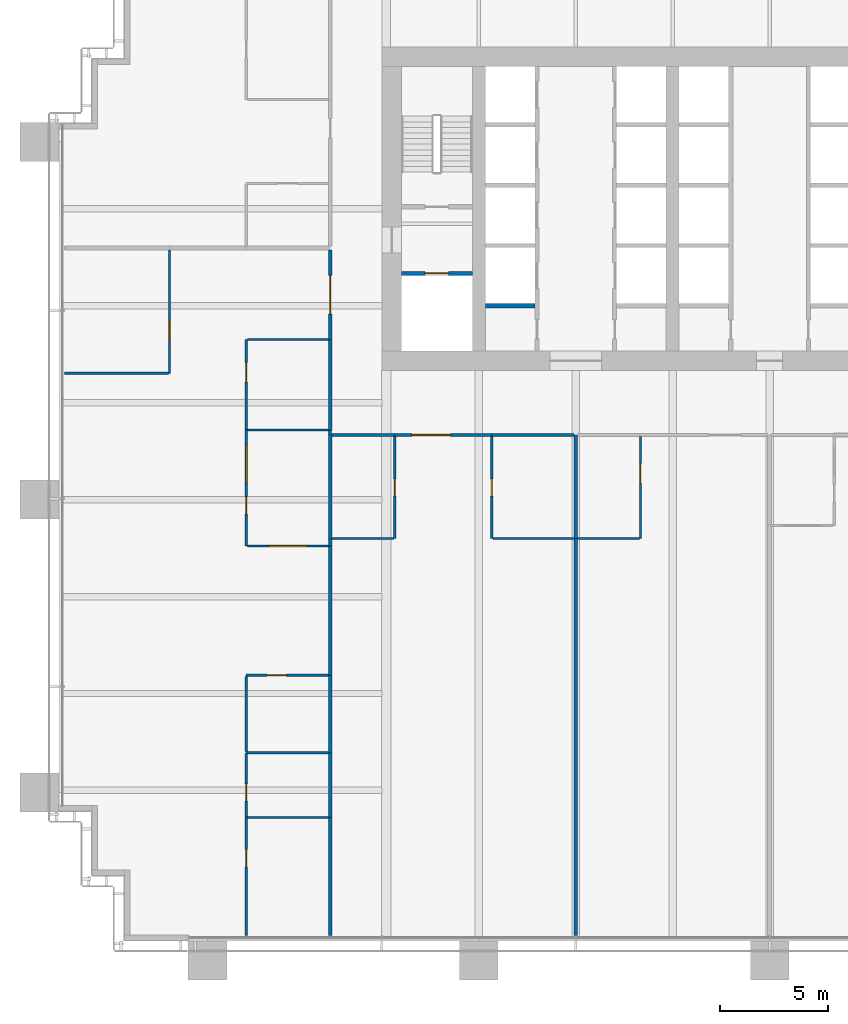
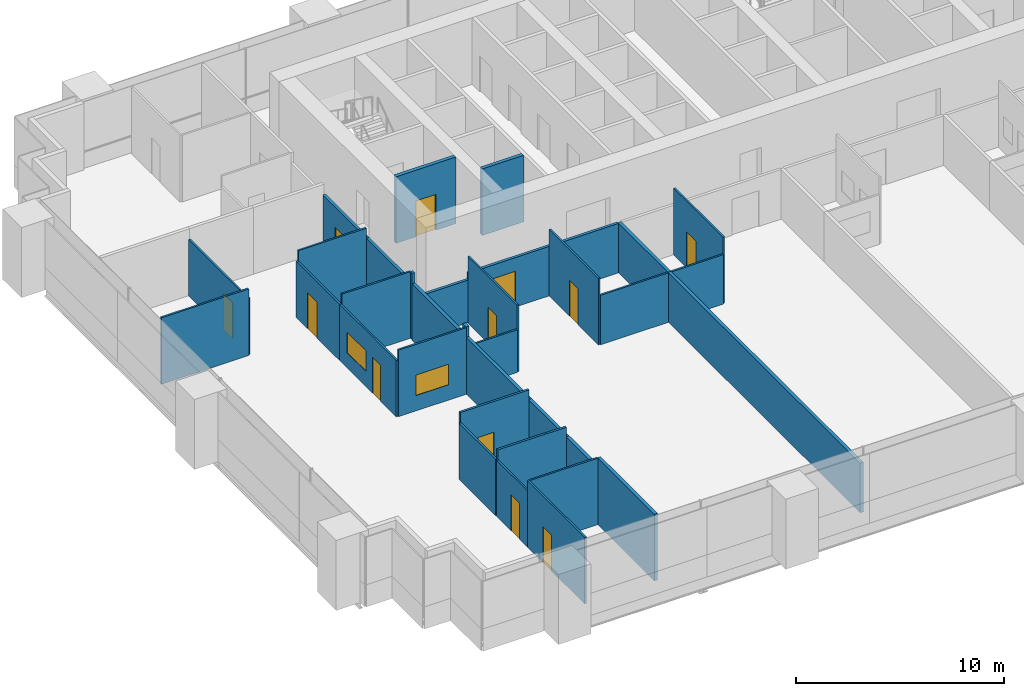
# One storey, part 11 of 20: 35 walls, 12 doors, 2 windows, 14 openings.
"""IFC4 building model written with IfcOpenShell, lengths in metres."""

import ifcopenshell
import ifcopenshell.guid

model = None  # the IFC model being written
_history = None  # IfcOwnerHistory: only IFC2X3 demands one
_inside = {}  # id of a spatial element -> (the spatial element, [elements in it])
_under = {}  # id of a project, library or spatial element -> (it, [spatial elements below it])
_declared = {}  # id of a project -> (the project, [libraries it declares])
_typed = {}  # id of a type object -> (the type object, [elements of that type])
_made_of = {}  # id of a material, layer set ... -> (it, [elements and type objects made of it])


def new_model(schema):
    """Start an empty IFC model of exactly this schema.

    Asked for "IFC4X3", IfcOpenShell would pick the latest addendum, in which some entities
    have other attributes; the version numbers below select the first issue.
    IFC2X3 requires an IfcOwnerHistory on every rooted entity: one is made here for all.
    """
    global model, _history
    if schema == "IFC4X3":
        model = ifcopenshell.file(schema_version=(4, 3, 0, 0))
    else:
        model = ifcopenshell.file(schema=schema)
    _inside.clear()
    _under.clear()
    _declared.clear()
    _typed.clear()
    _made_of.clear()
    _history = None
    if model.schema == "IFC2X3":
        org = make("IfcOrganization", Name="unknown")
        user = make(
            "IfcPersonAndOrganization",
            ThePerson=make("IfcPerson", FamilyName="unknown"),
            TheOrganization=org,
        )
        app = make(
            "IfcApplication",
            ApplicationDeveloper=org,
            Version="unknown",
            ApplicationFullName="unknown",
            ApplicationIdentifier="unknown",
        )
        _history = make(
            "IfcOwnerHistory",
            OwningUser=user,
            OwningApplication=app,
            ChangeAction="ADDED",
            CreationDate=0,
        )
    return model


def make(cls, **values):
    """One entity of the class cls with the attributes given. An attribute that is None is left unset."""
    return model.create_entity(
        cls, **{name: value for name, value in values.items() if value is not None}
    )


def rooted(cls, **values):
    """An entity with a GlobalId (a new one), such as an element, a storey or a relation."""
    return make(cls, GlobalId=ifcopenshell.guid.new(), OwnerHistory=_history, **values)


def si_unit(unit_type, name, prefix=None):
    """IfcSIUnit, for example si_unit("LENGTHUNIT", "METRE", prefix="MILLI")."""
    return make("IfcSIUnit", UnitType=unit_type, Prefix=prefix, Name=name)


def assignment(units):
    """IfcUnitAssignment: the units of a project."""
    return None if units is None else make("IfcUnitAssignment", Units=units)


def point(xyz):
    """IfcCartesianPoint."""
    return None if xyz is None else make("IfcCartesianPoint", Coordinates=xyz)


def direction(xyz):
    """IfcDirection."""
    return None if xyz is None else make("IfcDirection", DirectionRatios=xyz)


def frame(location, z_axis=None, x_axis=None):
    """IfcAxis2Placement3D, a coordinate frame: its origin and axes. An axis left out is left unset."""
    return make(
        "IfcAxis2Placement3D",
        Location=point(location),
        Axis=direction(z_axis),
        RefDirection=direction(x_axis),
    )


def frame_2d(location, x_axis=None):
    """IfcAxis2Placement2D, a coordinate frame in the plane: its origin and x axis."""
    return make(
        "IfcAxis2Placement2D", Location=point(location), RefDirection=direction(x_axis)
    )


def origin():
    """The frame at (0, 0, 0) with its axes left unset."""
    return frame((0.0, 0.0, 0.0))


def place(relative_to, where):
    """IfcLocalPlacement: puts the frame where relative to a parent placement (None: the world)."""
    return make(
        "IfcLocalPlacement", PlacementRelTo=relative_to, RelativePlacement=where
    )


def context(
    kind, dimensions, precision=None, world=None, true_north=None, identifier=None
):
    """IfcGeometricRepresentationContext, for example the 3D "Model" context."""
    return make(
        "IfcGeometricRepresentationContext",
        ContextIdentifier=identifier,
        ContextType=kind,
        CoordinateSpaceDimension=dimensions,
        Precision=precision,
        WorldCoordinateSystem=world,
        TrueNorth=true_north,
    )


def subcontext(parent, identifier, kind, view, scale=None):
    """IfcGeometricRepresentationSubContext, for example "Body" below "Model"."""
    return make(
        "IfcGeometricRepresentationSubContext",
        ContextIdentifier=identifier,
        ContextType=kind,
        ParentContext=parent,
        TargetScale=scale,
        TargetView=view,
    )


def project(units=None, contexts=None):
    """IfcProject with its units and contexts."""
    return rooted(
        "IfcProject",
        Name="project",
        RepresentationContexts=contexts,
        UnitsInContext=assignment(units),
    )


def spatial(cls, under=None, at=None, **own):
    """A site, building, storey or space (cls), placed at a placement, below another one or the project."""
    s = rooted(cls, ObjectPlacement=at, **own)
    if under is not None:
        _under.setdefault(under.id(), (under, []))[1].append(s)
    return s


def profile(cls, at=None, kind="AREA", **sizes):
    """A parametric profile (cls). Its sizes go by their IFC names, for example OverallWidth=200.0."""
    return make(cls, ProfileType=kind, Position=at, **sizes)


def rectangle(**sizes):
    """IfcRectangleProfileDef."""
    return profile("IfcRectangleProfileDef", **sizes)


def extrude(swept, where, along, depth):
    """IfcExtrudedAreaSolid: the profile swept, set in the frame where, extruded along a direction by depth."""
    return make(
        "IfcExtrudedAreaSolid",
        SweptArea=swept,
        Position=where,
        ExtrudedDirection=direction(along),
        Depth=depth,
    )


def shape(context_of_items, identifier, shape_type, items):
    """IfcShapeRepresentation: the items that make up one representation, for example the "Body"."""
    return make(
        "IfcShapeRepresentation",
        ContextOfItems=context_of_items,
        RepresentationIdentifier=identifier,
        RepresentationType=shape_type,
        Items=items,
    )


def material(Name=None, Category=None):
    """IfcMaterial."""
    return make("IfcMaterial", Name=Name, Category=Category)


def layer(
    of_material, thickness, ventilated=None, Name=None, Category=None, Priority=None
):
    """IfcMaterialLayer: one layer of a wall or slab, of a material (None: an air gap)."""
    return make(
        "IfcMaterialLayer",
        Material=of_material,
        LayerThickness=thickness,
        IsVentilated=ventilated,
        Name=Name,
        Category=Category,
        Priority=Priority,
    )


def layer_set(layers, Name=None):
    """IfcMaterialLayerSet."""
    return make("IfcMaterialLayerSet", MaterialLayers=layers, LayerSetName=Name)


def made_of(thing, what):
    """Note that an element or type object is made of a material, layer set ...; save() writes the relation."""
    if what is not None:
        _made_of.setdefault(what.id(), (what, []))[1].append(thing)
    return thing


def type_object(cls, material=None, **own):
    """A type object (cls), such as IfcWallType, which elements share."""
    return made_of(rooted(cls, **own), material)


def element(
    cls,
    number,
    at=None,
    inside=None,
    cuts=None,
    type_object=None,
    material=None,
    context=None,
    identifier="Body",
    shape_type=None,
    held_by="IfcProductDefinitionShape",
    body=None,
    shapes=None,
    **own,
):
    """One element of the class cls, such as IfcWall. Its Tag is "e" and its number.

    at: its placement. inside: the storey or other place that contains it. cuts: it is an
    opening in that element (IfcRelVoidsElement). A single representation is given by context,
    identifier, shape_type and body (its items); several are given by shapes. held_by: the class
    of the entity that holds the representations. save() writes the other relations.
    """
    e = rooted(cls, Tag="e%d" % number, ObjectPlacement=at, **own)
    if body is not None:
        shapes = [shape(context, identifier, shape_type, body)]
    if shapes is not None:
        e.Representation = make(held_by, Representations=shapes)
    if inside is not None:
        _inside.setdefault(inside.id(), (inside, []))[1].append(e)
    if cuts is not None:
        rooted(
            "IfcRelVoidsElement", RelatingBuildingElement=cuts, RelatedOpeningElement=e
        )
    if type_object is not None:
        _typed.setdefault(type_object.id(), (type_object, []))[1].append(e)
    return made_of(e, material)


def fill(opening, filler):
    """IfcRelFillsElement: the door or window that sits in an opening."""
    return rooted(
        "IfcRelFillsElement",
        RelatingOpeningElement=opening,
        RelatedBuildingElement=filler,
    )


def aggregate(whole, parts):
    """IfcRelAggregates: a whole, such as a stair, and the parts it consists of."""
    return rooted("IfcRelAggregates", RelatingObject=whole, RelatedObjects=parts)


def save(model, path):
    """Write the relations noted so far, then the file.

    IfcRelAggregates (storeys below a building ...), IfcRelContainedInSpatialStructure (elements
    in a storey), IfcRelDefinesByType, IfcRelAssociatesMaterial and IfcRelDeclares: one each for
    every whole, place, type object, material and project.
    """
    for whole, parts in _under.values():
        aggregate(whole, parts)
    for where, things in _inside.values():
        rooted(
            "IfcRelContainedInSpatialStructure",
            RelatedElements=things,
            RelatingStructure=where,
        )
    for kind, things in _typed.values():
        rooted("IfcRelDefinesByType", RelatedObjects=things, RelatingType=kind)
    for what, things in _made_of.values():
        rooted("IfcRelAssociatesMaterial", RelatedObjects=things, RelatingMaterial=what)
    for by, libraries in _declared.values():
        rooted("IfcRelDeclares", RelatingContext=by, RelatedDefinitions=libraries)
    model.write(path)


model = new_model("IFC4")

# Units and contexts
model_context = context("Model", 3, precision=1e-05, world=origin(), true_north=direction((0.0, 1.0)))
body_context = subcontext(model_context, "Body", "Model", "MODEL_VIEW")
ifc_project = project(units=[si_unit("LENGTHUNIT", "METRE"), si_unit("AREAUNIT", "SQUARE_METRE"), si_unit("VOLUMEUNIT", "CUBIC_METRE"), si_unit("PLANEANGLEUNIT", "RADIAN"), si_unit("MASSUNIT", "GRAM", prefix="KILO")], contexts=[model_context])

# Site, building, storey
site_placement = place(None, origin())
site = spatial("IfcSite", under=ifc_project, at=site_placement, CompositionType="ELEMENT")
building_placement = place(site_placement, origin())
building = spatial("IfcBuilding", under=site, at=building_placement, Name="Rattan Terrace Tower", CompositionType="ELEMENT")
storey_placement = place(building_placement, frame((0.0, 0.0, 40.60009765625)))
storey = spatial("IfcBuildingStorey", under=building, at=storey_placement, Name="L08", CompositionType="ELEMENT", Elevation=40.60009765625)

# Wall, opening, door
ifc_material_1 = material(Name="Gypsum board partition")
ifc_layer_1 = layer(ifc_material_1, 0.199951171875)
ifc_layer_set_1 = layer_set([ifc_layer_1], Name="Core partition 200")
wall_type_1 = type_object("IfcWallType", Name="Core partition 200", PredefinedType="PARTITIONING", material=ifc_layer_set_1)
wall_1_placement = place(storey_placement, frame((-17.10009765625, -3.0, 0.0), z_axis=(0.0, 0.0, 1.0), x_axis=(1.0, 0.0, 0.0)))
wall_1 = element("IfcWall", 1, at=wall_1_placement, inside=storey, type_object=wall_type_1, Name="Fire-fighting lobby wall", PredefinedType="PARTITIONING", context=body_context, shape_type="SweptSolid", body=[
    extrude(rectangle(XDim=3.300048828125, YDim=0.199951171875, at=frame_2d((1.64990234375, 0.0))), origin(), (0.0, 0.0, 1.0), 3.89990234375),
])
opening_1_placement = place(wall_1_placement, frame((1.10009765625, 0.0, 0.0)))
opening_1 = element("IfcOpeningElement", 2, at=opening_1_placement, cuts=wall_1, Name="Opening L08-LD-FF1", PredefinedType="OPENING", context=body_context, shape_type="SweptSolid", body=[
    extrude(rectangle(XDim=1.10009765625, YDim=2.10009765625, at=frame_2d((0.550048828125, 1.050048828125))), frame((0.0, 0.110595703125, 0.0), z_axis=(0.0, -1.0, 0.0), x_axis=(1.0, 0.0, 0.0)), (0.0, 0.0, 1.0), 0.220947265625),
])
ifc_material_2 = material(Name="Brushed stainless landing door panel")
door_type_1 = type_object("IfcDoorType", Name="Core lift landing door 1100", OperationType="DOUBLE_DOOR_SLIDING", PredefinedType="DOOR", material=ifc_material_2)
door_1_placement = place(opening_1_placement, origin())
door_1 = element("IfcDoor", 3, at=door_1_placement, inside=storey, type_object=door_type_1, Name="Door L08-LD-FF1", OperationType="DOUBLE_DOOR_SLIDING", OverallHeight=2.10009765625, OverallWidth=1.10009765625, PredefinedType="DOOR", context=body_context, shape_type="SweptSolid", body=[
    extrude(rectangle(XDim=1.10009765625, YDim=2.10009765625, at=frame_2d((0.550048828125, 1.050048828125))), frame((0.0, 0.02490234375, 0.0), z_axis=(0.0, -1.0, 0.0), x_axis=(1.0, 0.0, 0.0)), (0.0, 0.0, 1.0), 0.050048828125),
])
fill(opening_1, door_1)

# Walls
ifc_material_3 = material(Name="Double steel stud acoustic partition, gypsum board, mineral wool, fire rated", Category="steel")
ifc_layer_2 = layer(ifc_material_3, 0.179931640625)
ifc_layer_set_2 = layer_set([ifc_layer_2], Name="Floors Acoustic Party Wall 180")
wall_type_2 = type_object("IfcWallType", Name="Floors Acoustic Party Wall 180", PredefinedType="PARTITIONING", material=ifc_layer_set_2)
wall_2_placement = place(storey_placement, frame((-20.39990234375, -15.659912109375, 0.0), z_axis=(0.0, 0.0, 1.0), x_axis=(0.0, -1.0, 0.0)))
element("IfcWall", 4, at=wall_2_placement, inside=storey, type_object=wall_type_2, Name="pt-L08-034", PredefinedType="PARTITIONING", context=body_context, shape_type="SweptSolid", body=[
    extrude(rectangle(XDim=6.0, YDim=0.179931640625, at=frame_2d((3.0, 0.0))), origin(), (0.0, 0.0, 1.0), 3.2998046875),
])
wall_3_placement = place(storey_placement, frame((-20.39990234375, -28.260009765625, 0.0), z_axis=(0.0, 0.0, 1.0), x_axis=(0.0, -1.0, 0.0)))
element("IfcWall", 5, at=wall_3_placement, inside=storey, type_object=wall_type_2, Name="pt-L08-037", PredefinedType="PARTITIONING", context=body_context, shape_type="SweptSolid", body=[
    extrude(rectangle(XDim=5.47998046875, YDim=0.179931640625, at=frame_2d((2.739990234375, 0.0))), origin(), (0.0, 0.0, 1.0), 3.89990234375),
])
wall_4_placement = place(storey_placement, frame((-20.39990234375, -25.260009765625, 0.0), z_axis=(0.0, 0.0, 1.0), x_axis=(0.0, -1.0, 0.0)))
element("IfcWall", 6, at=wall_4_placement, inside=storey, type_object=wall_type_2, Name="pt-L08-039", PredefinedType="PARTITIONING", context=body_context, shape_type="SweptSolid", body=[
    extrude(rectangle(XDim=3.0, YDim=0.179931640625, at=frame_2d((1.5, 0.0))), origin(), (0.0, 0.0, 1.0), 3.2998046875),
])
wall_5_placement = place(storey_placement, frame((-20.39990234375, -21.659912109375, 0.0), z_axis=(0.0, 0.0, 1.0), x_axis=(0.0, -1.0, 0.0)))
element("IfcWall", 7, at=wall_5_placement, inside=storey, type_object=wall_type_2, Name="pt-L08-040", PredefinedType="PARTITIONING", context=body_context, shape_type="SweptSolid", body=[
    extrude(rectangle(XDim=3.60009765625, YDim=0.179931640625, at=frame_2d((1.800048828125, 0.0))), origin(), (0.0, 0.0, 1.0), 3.2998046875),
])
wall_6_placement = place(storey_placement, frame((-20.39990234375, -15.320068359375, 0.0), z_axis=(0.0, 0.0, 1.0), x_axis=(0.0, -1.0, 0.0)))
element("IfcWall", 8, at=wall_6_placement, inside=storey, type_object=wall_type_2, Name="pt-L08-042", PredefinedType="PARTITIONING", context=body_context, shape_type="SweptSolid", body=[
    extrude(rectangle(XDim=0.33984375, YDim=0.179931640625, at=frame_2d((0.169921875, 0.0))), origin(), (0.0, 0.0, 1.0), 3.89990234375),
])
wall_7_placement = place(storey_placement, frame((-20.39990234375, -10.47998046875, 0.0), z_axis=(0.0, 0.0, 1.0), x_axis=(0.0, -1.0, 0.0)))
element("IfcWall", 9, at=wall_7_placement, inside=storey, type_object=wall_type_2, Name="pt-L08-043", PredefinedType="PARTITIONING", context=body_context, shape_type="SweptSolid", body=[
    extrude(rectangle(XDim=4.840087890625, YDim=0.179931640625, at=frame_2d((2.419921875, 0.0))), origin(), (0.0, 0.0, 1.0), 3.2998046875),
])
wall_8_placement = place(storey_placement, frame((-9.0, -15.300048828125, 0.0), z_axis=(0.0, 0.0, 1.0), x_axis=(0.0, -1.0, 0.0)))
element("IfcWall", 10, at=wall_8_placement, inside=storey, type_object=wall_type_2, Name="pt-L08-052", PredefinedType="PARTITIONING", context=body_context, shape_type="SweptSolid", body=[
    extrude(rectangle(XDim=18.43994140625, YDim=0.179931640625, at=frame_2d((9.219970703125, 0.0))), origin(), (0.0, 0.0, 1.0), 2.89990234375),
])
wall_9_placement = place(storey_placement, frame((-9.0, -10.5, 0.0), z_axis=(0.0, 0.0, 1.0), x_axis=(0.0, -1.0, 0.0)))
element("IfcWall", 11, at=wall_9_placement, inside=storey, type_object=wall_type_2, Name="pt-L08-053", PredefinedType="PARTITIONING", context=body_context, shape_type="SweptSolid", body=[
    extrude(rectangle(XDim=4.800048828125, YDim=0.179931640625, at=frame_2d((2.39990234375, 0.0))), origin(), (0.0, 0.0, 1.0), 2.89990234375),
])
ifc_material_4 = material(Name="Gypsum board partition on steel studs", Category="steel")
ifc_layer_3 = layer(ifc_material_4, 0.10009765625)
ifc_layer_set_3 = layer_set([ifc_layer_3], Name="Floors Partition 100")
wall_type_3 = type_object("IfcWallType", Name="Floors Partition 100", PredefinedType="PARTITIONING", material=ifc_layer_set_3)
wall_10_placement = place(storey_placement, frame((-32.739990234375, -7.635986328125, 0.0), z_axis=(0.0, 0.0, 1.0), x_axis=(1.0, 0.0, 0.0)))
element("IfcWall", 12, at=wall_10_placement, inside=storey, type_object=wall_type_3, Name="pt-L08-022", PredefinedType="PARTITIONING", context=body_context, shape_type="SweptSolid", body=[
    extrude(rectangle(XDim=4.830078125, YDim=0.10009765625, at=frame_2d((2.4150390625, 0.0))), origin(), (0.0, 0.0, 1.0), 3.89990234375),
])

# Wall, opening, door
wall_11_placement = place(storey_placement, frame((-27.860107421875, -7.635986328125, 0.0), z_axis=(0.0, 0.0, 1.0), x_axis=(0.0, 1.0, 0.0)))
wall_11 = element("IfcWall", 13, at=wall_11_placement, inside=storey, type_object=wall_type_3, Name="pt-L08-023", PredefinedType="PARTITIONING", context=body_context, shape_type="SweptSolid", body=[
    extrude(rectangle(XDim=5.72802734375, YDim=0.10009765625, at=frame_2d((2.864013671875, 0.0))), origin(), (0.0, 0.0, 1.0), 3.2998046875),
])
opening_2_placement = place(wall_11_placement, frame((1.548095703125, 0.0, 0.0)))
opening_2 = element("IfcOpeningElement", 14, at=opening_2_placement, cuts=wall_11, Name="Opening L08-D101", PredefinedType="OPENING", context=body_context, shape_type="SweptSolid", body=[
    extrude(rectangle(XDim=0.89990234375, YDim=2.10009765625, at=frame_2d((0.449951171875, 1.050048828125))), frame((0.0, 0.060546875, 0.0), z_axis=(0.0, -1.0, 0.0), x_axis=(1.0, 0.0, 0.0)), (0.0, 0.0, 1.0), 0.12109375),
])
ifc_material_5 = material(Name="Solid core timber door, painted", Category="wood")
door_type_2 = type_object("IfcDoorType", Name="Floors Door 900x2100", OperationType="NOTDEFINED", PredefinedType="DOOR", material=ifc_material_5)
door_2_placement = place(opening_2_placement, origin())
door_2 = element("IfcDoor", 15, at=door_2_placement, inside=storey, type_object=door_type_2, Name="d-L08-101", OperationType="SINGLE_SWING_LEFT", OverallHeight=2.10009765625, OverallWidth=0.89990234375, PredefinedType="DOOR", context=body_context, shape_type="SweptSolid", body=[
    extrude(rectangle(XDim=0.89990234375, YDim=2.10009765625, at=frame_2d((0.449951171875, 1.050048828125))), frame((0.0, 0.02490234375, 0.0), z_axis=(0.0, -1.0, 0.0), x_axis=(1.0, 0.0, 0.0)), (0.0, 0.0, 1.0), 0.050048828125),
])
fill(opening_2, door_2)

wall_12_placement = place(storey_placement, frame((-24.300048828125, -28.239990234375, 0.0), z_axis=(0.0, 0.0, 1.0), x_axis=(0.0, -1.0, 0.0)))
wall_12 = element("IfcWall", 16, at=wall_12_placement, inside=storey, type_object=wall_type_3, Name="pt-L08-024", PredefinedType="PARTITIONING", context=body_context, shape_type="SweptSolid", body=[
    extrude(rectangle(XDim=5.5, YDim=0.10009765625, at=frame_2d((2.75, 0.0))), origin(), (0.0, 0.0, 1.0), 3.89990234375),
])
opening_3_placement = place(wall_12_placement, frame((1.510009765625, 0.0, 0.0)))
opening_3 = element("IfcOpeningElement", 17, at=opening_3_placement, cuts=wall_12, Name="Opening L08-D102", PredefinedType="OPENING", context=body_context, shape_type="SweptSolid", body=[
    extrude(rectangle(XDim=0.800048828125, YDim=2.10009765625, at=frame_2d((0.39990234375, 1.050048828125))), frame((0.0, 0.060546875, 0.0), z_axis=(0.0, -1.0, 0.0), x_axis=(1.0, 0.0, 0.0)), (0.0, 0.0, 1.0), 0.12109375),
])
ifc_material_6 = material(Name="Solid core timber door, painted", Category="wood")
door_type_3 = type_object("IfcDoorType", Name="Floors Store Door 800x2100", OperationType="NOTDEFINED", PredefinedType="DOOR", material=ifc_material_6)
door_3_placement = place(opening_3_placement, origin())
door_3 = element("IfcDoor", 18, at=door_3_placement, inside=storey, type_object=door_type_3, Name="d-L08-102", OperationType="SINGLE_SWING_LEFT", OverallHeight=2.10009765625, OverallWidth=0.800048828125, PredefinedType="DOOR", context=body_context, shape_type="SweptSolid", body=[
    extrude(rectangle(XDim=0.800048828125, YDim=2.10009765625, at=frame_2d((0.39990234375, 1.050048828125))), frame((0.0, 0.02490234375, 0.0), z_axis=(0.0, -1.0, 0.0), x_axis=(1.0, 0.0, 0.0)), (0.0, 0.0, 1.0), 0.050048828125),
])
fill(opening_3, door_3)

wall_13_placement = place(storey_placement, frame((-24.300048828125, -25.280029296875, 0.0), z_axis=(0.0, 0.0, 1.0), x_axis=(0.0, -1.0, 0.0)))
wall_13 = element("IfcWall", 19, at=wall_13_placement, inside=storey, type_object=wall_type_3, Name="pt-L08-025", PredefinedType="PARTITIONING", context=body_context, shape_type="SweptSolid", body=[
    extrude(rectangle(XDim=2.9599609375, YDim=0.10009765625, at=frame_2d((1.47998046875, 0.0))), origin(), (0.0, 0.0, 1.0), 3.2998046875),
])
opening_4_placement = place(wall_13_placement, frame((1.412109375, 0.0, 0.0)))
opening_4 = element("IfcOpeningElement", 20, at=opening_4_placement, cuts=wall_13, Name="Opening L08-D103", PredefinedType="OPENING", context=body_context, shape_type="SweptSolid", body=[
    extrude(rectangle(XDim=0.800048828125, YDim=2.10009765625, at=frame_2d((0.39990234375, 1.050048828125))), frame((0.0, 0.060546875, 0.0), z_axis=(0.0, -1.0, 0.0), x_axis=(1.0, 0.0, 0.0)), (0.0, 0.0, 1.0), 0.12109375),
])
door_4_placement = place(opening_4_placement, origin())
door_4 = element("IfcDoor", 21, at=door_4_placement, inside=storey, type_object=door_type_3, Name="d-L08-103", OperationType="SINGLE_SWING_RIGHT", OverallHeight=2.10009765625, OverallWidth=0.800048828125, PredefinedType="DOOR", context=body_context, shape_type="SweptSolid", body=[
    extrude(rectangle(XDim=0.800048828125, YDim=2.10009765625, at=frame_2d((0.39990234375, 1.050048828125))), frame((0.0, 0.02490234375, 0.0), z_axis=(0.0, -1.0, 0.0), x_axis=(1.0, 0.0, 0.0)), (0.0, 0.0, 1.0), 0.050048828125),
])
fill(opening_4, door_4)

# Wall, openings, door, window
wall_14_placement = place(storey_placement, frame((-24.300048828125, -10.239990234375, 0.0), z_axis=(0.0, 0.0, 1.0), x_axis=(0.0, -1.0, 0.0)))
wall_14 = element("IfcWall", 22, at=wall_14_placement, inside=storey, type_object=wall_type_3, Name="pt-L08-028", PredefinedType="PARTITIONING", context=body_context, shape_type="SweptSolid", body=[
    extrude(rectangle(XDim=5.419921875, YDim=0.10009765625, at=frame_2d((2.7099609375, 0.0))), origin(), (0.0, 0.0, 1.0), 3.2998046875),
])
opening_5_placement = place(wall_14_placement, frame((3.134033203125, 0.0, 0.0)))
opening_5 = element("IfcOpeningElement", 23, at=opening_5_placement, cuts=wall_14, Name="Opening L08-D105", PredefinedType="OPENING", context=body_context, shape_type="SweptSolid", body=[
    extrude(rectangle(XDim=0.800048828125, YDim=2.10009765625, at=frame_2d((0.39990234375, 1.050048828125))), frame((0.0, 0.060546875, 0.0), z_axis=(0.0, -1.0, 0.0), x_axis=(1.0, 0.0, 0.0)), (0.0, 0.0, 1.0), 0.12109375),
])
opening_6_placement = place(wall_14_placement, frame((0.701904296875, 0.0, 0.89990234375)))
opening_6 = element("IfcOpeningElement", 24, at=opening_6_placement, cuts=wall_14, Name="Opening L08-W100", PredefinedType="OPENING", context=body_context, shape_type="SweptSolid", body=[
    extrude(rectangle(XDim=1.800048828125, YDim=1.199951171875, at=frame_2d((0.89990234375, 0.60009765625))), frame((0.0, 0.060546875, 0.0), z_axis=(0.0, -1.0, 0.0), x_axis=(1.0, 0.0, 0.0)), (0.0, 0.0, 1.0), 0.12109375),
])
door_5_placement = place(opening_5_placement, origin())
door_5 = element("IfcDoor", 25, at=door_5_placement, inside=storey, type_object=door_type_3, Name="d-L08-105", OperationType="SINGLE_SWING_RIGHT", OverallHeight=2.10009765625, OverallWidth=0.800048828125, PredefinedType="DOOR", context=body_context, shape_type="SweptSolid", body=[
    extrude(rectangle(XDim=0.800048828125, YDim=2.10009765625, at=frame_2d((0.39990234375, 1.050048828125))), frame((0.0, 0.02490234375, 0.0), z_axis=(0.0, -1.0, 0.0), x_axis=(1.0, 0.0, 0.0)), (0.0, 0.0, 1.0), 0.050048828125),
])
fill(opening_5, door_5)
ifc_material_7 = material(Name="Glass, clear, fixed in aluminium frame", Category="aluminium")
window_type = type_object("IfcWindowType", Name="Interior Vision Window 1800x1200", PartitioningType="SINGLE_PANEL", PredefinedType="WINDOW", material=ifc_material_7)
window_1_placement = place(opening_6_placement, origin())
window_1 = element("IfcWindow", 26, at=window_1_placement, inside=storey, type_object=window_type, Name="w-L08-100", OverallHeight=1.199951171875, OverallWidth=1.800048828125, PartitioningType="SINGLE_PANEL", PredefinedType="WINDOW", context=body_context, shape_type="SweptSolid", body=[
    extrude(rectangle(XDim=1.800048828125, YDim=1.199951171875, at=frame_2d((0.89990234375, 0.60009765625))), frame((0.0, 0.030029296875, 0.0), z_axis=(0.0, -1.0, 0.0), x_axis=(1.0, 0.0, 0.0)), (0.0, 0.0, 1.0), 0.06005859375),
])
fill(opening_6, window_1)

# Wall, opening, window
wall_15_placement = place(storey_placement, frame((-24.25, -15.659912109375, 0.0), z_axis=(0.0, 0.0, 1.0), x_axis=(1.0, 0.0, 0.0)))
wall_15 = element("IfcWall", 27, at=wall_15_placement, inside=storey, type_object=wall_type_3, Name="pt-L08-029", PredefinedType="PARTITIONING", context=body_context, shape_type="SweptSolid", body=[
    extrude(rectangle(XDim=3.760009765625, YDim=0.10009765625, at=frame_2d((1.8798828125, 0.0))), origin(), (0.0, 0.0, 1.0), 3.89990234375),
])
opening_7_placement = place(wall_15_placement, frame((0.97998046875, 0.0, 0.89990234375)))
opening_7 = element("IfcOpeningElement", 28, at=opening_7_placement, cuts=wall_15, Name="Opening L08-W101", PredefinedType="OPENING", context=body_context, shape_type="SweptSolid", body=[
    extrude(rectangle(XDim=1.800048828125, YDim=1.199951171875, at=frame_2d((0.89990234375, 0.60009765625))), frame((0.0, 0.060546875, 0.0), z_axis=(0.0, -1.0, 0.0), x_axis=(1.0, 0.0, 0.0)), (0.0, 0.0, 1.0), 0.12109375),
])
window_2_placement = place(opening_7_placement, origin())
window_2 = element("IfcWindow", 29, at=window_2_placement, inside=storey, type_object=window_type, Name="w-L08-101", OverallHeight=1.199951171875, OverallWidth=1.800048828125, PartitioningType="SINGLE_PANEL", PredefinedType="WINDOW", context=body_context, shape_type="SweptSolid", body=[
    extrude(rectangle(XDim=1.800048828125, YDim=1.199951171875, at=frame_2d((0.89990234375, 0.60009765625))), frame((0.0, 0.030029296875, 0.0), z_axis=(0.0, -1.0, 0.0), x_axis=(1.0, 0.0, 0.0)), (0.0, 0.0, 1.0), 0.06005859375),
])
fill(opening_7, window_2)

# Wall, opening, door
wall_16_placement = place(storey_placement, frame((-24.300048828125, -6.06005859375, 0.0), z_axis=(0.0, 0.0, 1.0), x_axis=(0.0, -1.0, 0.0)))
wall_16 = element("IfcWall", 30, at=wall_16_placement, inside=storey, type_object=wall_type_3, Name="pt-L08-030", PredefinedType="PARTITIONING", context=body_context, shape_type="SweptSolid", body=[
    extrude(rectangle(XDim=4.179931640625, YDim=0.10009765625, at=frame_2d((2.08984375, 0.0))), origin(), (0.0, 0.0, 1.0), 3.2998046875),
])
opening_8_placement = place(wall_16_placement, frame((1.083984375, 0.0, 0.0)))
opening_8 = element("IfcOpeningElement", 31, at=opening_8_placement, cuts=wall_16, Name="Opening L08-D106", PredefinedType="OPENING", context=body_context, shape_type="SweptSolid", body=[
    extrude(rectangle(XDim=0.89990234375, YDim=2.10009765625, at=frame_2d((0.449951171875, 1.050048828125))), frame((0.0, 0.060546875, 0.0), z_axis=(0.0, -1.0, 0.0), x_axis=(1.0, 0.0, 0.0)), (0.0, 0.0, 1.0), 0.12109375),
])
door_6_placement = place(opening_8_placement, origin())
door_6 = element("IfcDoor", 32, at=door_6_placement, inside=storey, type_object=door_type_2, Name="d-L08-106", OperationType="SINGLE_SWING_LEFT", OverallHeight=2.10009765625, OverallWidth=0.89990234375, PredefinedType="DOOR", context=body_context, shape_type="SweptSolid", body=[
    extrude(rectangle(XDim=0.89990234375, YDim=2.10009765625, at=frame_2d((0.449951171875, 1.050048828125))), frame((0.0, 0.02490234375, 0.0), z_axis=(0.0, -1.0, 0.0), x_axis=(1.0, 0.0, 0.0)), (0.0, 0.0, 1.0), 0.050048828125),
])
fill(opening_8, door_6)

# Walls
wall_17_placement = place(storey_placement, frame((-20.47509765625, -6.06005859375, 0.0), z_axis=(0.0, 0.0, 1.0), x_axis=(-1.0, 0.0, 0.0)))
element("IfcWall", 33, at=wall_17_placement, inside=storey, type_object=wall_type_3, Name="pt-L08-031", PredefinedType="PARTITIONING", context=body_context, shape_type="SweptSolid", body=[
    extrude(rectangle(XDim=3.77490234375, YDim=0.10009765625, at=frame_2d((1.887451171875, 0.0))), origin(), (0.0, 0.0, 1.0), 3.89990234375),
])
wall_18_placement = place(storey_placement, frame((-24.25, -28.260009765625, 0.0), z_axis=(0.0, 0.0, 1.0), x_axis=(1.0, 0.0, 0.0)))
element("IfcWall", 34, at=wall_18_placement, inside=storey, type_object=wall_type_3, Name="pt-L08-036", PredefinedType="PARTITIONING", context=body_context, shape_type="SweptSolid", body=[
    extrude(rectangle(XDim=3.760009765625, YDim=0.10009765625, at=frame_2d((1.8798828125, 0.0))), origin(), (0.0, 0.0, 1.0), 3.89990234375),
])
wall_19_placement = place(storey_placement, frame((-24.25, -10.260009765625, 0.0), z_axis=(0.0, 0.0, 1.0), x_axis=(1.0, 0.0, 0.0)))
element("IfcWall", 35, at=wall_19_placement, inside=storey, type_object=wall_type_3, Name="pt-L08-041", PredefinedType="PARTITIONING", context=body_context, shape_type="SweptSolid", body=[
    extrude(rectangle(XDim=3.77490234375, YDim=0.10009765625, at=frame_2d((1.887451171875, 0.0))), origin(), (0.0, 0.0, 1.0), 3.89990234375),
])
wall_20_placement = place(storey_placement, frame((-20.31005859375, -15.300048828125, 0.0), z_axis=(0.0, 0.0, 1.0), x_axis=(1.0, 0.0, 0.0)))
element("IfcWall", 36, at=wall_20_placement, inside=storey, type_object=wall_type_3, Name="pt-L08-048", PredefinedType="PARTITIONING", context=body_context, shape_type="SweptSolid", body=[
    extrude(rectangle(XDim=2.860107421875, YDim=0.10009765625, at=frame_2d((1.43017578125, 0.0))), origin(), (0.0, 0.0, 1.0), 2.5),
])

# Wall, opening, door
wall_21_placement = place(storey_placement, frame((-17.39990234375, -15.300048828125, 0.0), z_axis=(0.0, 0.0, 1.0), x_axis=(0.0, 1.0, 0.0)))
wall_21 = element("IfcWall", 37, at=wall_21_placement, inside=storey, type_object=wall_type_3, Name="pt-L08-049", PredefinedType="PARTITIONING", context=body_context, shape_type="SweptSolid", body=[
    extrude(rectangle(XDim=4.72509765625, YDim=0.10009765625, at=frame_2d((2.362548828125, 0.0))), origin(), (0.0, 0.0, 1.0), 3.89990234375),
])
opening_9_placement = place(wall_21_placement, frame((1.962890625, 0.0, 0.0)))
opening_9 = element("IfcOpeningElement", 38, at=opening_9_placement, cuts=wall_21, Name="Opening L08-D111", PredefinedType="OPENING", context=body_context, shape_type="SweptSolid", body=[
    extrude(rectangle(XDim=0.800048828125, YDim=2.10009765625, at=frame_2d((0.39990234375, 1.050048828125))), frame((0.0, 0.060546875, 0.0), z_axis=(0.0, -1.0, 0.0), x_axis=(1.0, 0.0, 0.0)), (0.0, 0.0, 1.0), 0.12109375),
])
door_7_placement = place(opening_9_placement, origin())
door_7 = element("IfcDoor", 39, at=door_7_placement, inside=storey, type_object=door_type_3, Name="d-L08-111", OperationType="SINGLE_SWING_RIGHT", OverallHeight=2.10009765625, OverallWidth=0.800048828125, PredefinedType="DOOR", context=body_context, shape_type="SweptSolid", body=[
    extrude(rectangle(XDim=0.800048828125, YDim=2.10009765625, at=frame_2d((0.39990234375, 1.050048828125))), frame((0.0, 0.02490234375, 0.0), z_axis=(0.0, -1.0, 0.0), x_axis=(1.0, 0.0, 0.0)), (0.0, 0.0, 1.0), 0.050048828125),
])
fill(opening_9, door_7)

wall_22_placement = place(storey_placement, frame((-12.89990234375, -10.574951171875, 0.0), z_axis=(0.0, 0.0, 1.0), x_axis=(0.0, -1.0, 0.0)))
wall_22 = element("IfcWall", 40, at=wall_22_placement, inside=storey, type_object=wall_type_3, Name="pt-L08-050", PredefinedType="PARTITIONING", context=body_context, shape_type="SweptSolid", body=[
    extrude(rectangle(XDim=4.72509765625, YDim=0.10009765625, at=frame_2d((2.362548828125, 0.0))), origin(), (0.0, 0.0, 1.0), 3.89990234375),
])
opening_10_placement = place(wall_22_placement, frame((1.962890625, 0.0, 0.0)))
opening_10 = element("IfcOpeningElement", 41, at=opening_10_placement, cuts=wall_22, Name="Opening L08-D112", PredefinedType="OPENING", context=body_context, shape_type="SweptSolid", body=[
    extrude(rectangle(XDim=0.800048828125, YDim=2.10009765625, at=frame_2d((0.39990234375, 1.050048828125))), frame((0.0, 0.060546875, 0.0), z_axis=(0.0, -1.0, 0.0), x_axis=(1.0, 0.0, 0.0)), (0.0, 0.0, 1.0), 0.12109375),
])
door_8_placement = place(opening_10_placement, origin())
door_8 = element("IfcDoor", 42, at=door_8_placement, inside=storey, type_object=door_type_3, Name="d-L08-112", OperationType="SINGLE_SWING_LEFT", OverallHeight=2.10009765625, OverallWidth=0.800048828125, PredefinedType="DOOR", context=body_context, shape_type="SweptSolid", body=[
    extrude(rectangle(XDim=0.800048828125, YDim=2.10009765625, at=frame_2d((0.39990234375, 1.050048828125))), frame((0.0, 0.02490234375, 0.0), z_axis=(0.0, -1.0, 0.0), x_axis=(1.0, 0.0, 0.0)), (0.0, 0.0, 1.0), 0.050048828125),
])
fill(opening_10, door_8)

# Walls
wall_23_placement = place(storey_placement, frame((-12.85009765625, -15.300048828125, 0.0), z_axis=(0.0, 0.0, 1.0), x_axis=(1.0, 0.0, 0.0)))
element("IfcWall", 43, at=wall_23_placement, inside=storey, type_object=wall_type_3, Name="pt-L08-051", PredefinedType="PARTITIONING", context=body_context, shape_type="SweptSolid", body=[
    extrude(rectangle(XDim=3.760009765625, YDim=0.10009765625, at=frame_2d((1.8798828125, 0.0))), origin(), (0.0, 0.0, 1.0), 2.89990234375),
])
wall_24_placement = place(storey_placement, frame((-8.909912109375, -15.300048828125, 0.0), z_axis=(0.0, 0.0, 1.0), x_axis=(1.0, 0.0, 0.0)))
element("IfcWall", 44, at=wall_24_placement, inside=storey, type_object=wall_type_3, Name="pt-L08-054", PredefinedType="PARTITIONING", context=body_context, shape_type="SweptSolid", body=[
    extrude(rectangle(XDim=2.85986328125, YDim=0.10009765625, at=frame_2d((1.429931640625, 0.0))), origin(), (0.0, 0.0, 1.0), 2.89990234375),
])

# Wall, opening, door
wall_25_placement = place(storey_placement, frame((-6.0, -15.300048828125, 0.0), z_axis=(0.0, 0.0, 1.0), x_axis=(0.0, 1.0, 0.0)))
wall_25 = element("IfcWall", 45, at=wall_25_placement, inside=storey, type_object=wall_type_3, Name="pt-L08-055", PredefinedType="PARTITIONING", context=body_context, shape_type="SweptSolid", body=[
    extrude(rectangle(XDim=4.72509765625, YDim=0.10009765625, at=frame_2d((2.362548828125, 0.0))), origin(), (0.0, 0.0, 1.0), 3.89990234375),
])
opening_11_placement = place(wall_25_placement, frame((2.577880859375, 0.0, 0.0)))
opening_11 = element("IfcOpeningElement", 46, at=opening_11_placement, cuts=wall_25, Name="Opening L08-D114", PredefinedType="OPENING", context=body_context, shape_type="SweptSolid", body=[
    extrude(rectangle(XDim=0.89990234375, YDim=2.10009765625, at=frame_2d((0.449951171875, 1.050048828125))), frame((0.0, 0.060546875, 0.0), z_axis=(0.0, -1.0, 0.0), x_axis=(1.0, 0.0, 0.0)), (0.0, 0.0, 1.0), 0.12109375),
])
door_9_placement = place(opening_11_placement, origin())
door_9 = element("IfcDoor", 47, at=door_9_placement, inside=storey, type_object=door_type_2, Name="d-L08-114", OperationType="SINGLE_SWING_RIGHT", OverallHeight=2.10009765625, OverallWidth=0.89990234375, PredefinedType="DOOR", context=body_context, shape_type="SweptSolid", body=[
    extrude(rectangle(XDim=0.89990234375, YDim=2.10009765625, at=frame_2d((0.449951171875, 1.050048828125))), frame((0.0, 0.02490234375, 0.0), z_axis=(0.0, -1.0, 0.0), x_axis=(1.0, 0.0, 0.0)), (0.0, 0.0, 1.0), 0.050048828125),
])
fill(opening_11, door_9)

ifc_material_8 = material(Name="Gypsum board partition on steel studs, fire rated", Category="steel")
ifc_layer_4 = layer(ifc_material_8, 0.14990234375)
ifc_layer_set_4 = layer_set([ifc_layer_4], Name="Floors Tenancy Wall 150")
wall_type_4 = type_object("IfcWallType", Name="Floors Tenancy Wall 150", PredefinedType="PARTITIONING", material=ifc_layer_set_4)
wall_26_placement = place(storey_placement, frame((-20.39990234375, -6.080078125, 0.0), z_axis=(0.0, 0.0, 1.0), x_axis=(0.0, 1.0, 0.0)))
wall_26 = element("IfcWall", 48, at=wall_26_placement, inside=storey, type_object=wall_type_4, Name="pt-L08-001", PredefinedType="PARTITIONING", context=body_context, shape_type="SweptSolid", body=[
    extrude(rectangle(XDim=4.172119140625, YDim=0.14990234375, at=frame_2d((2.0859375, 0.0))), origin(), (0.0, 0.0, 1.0), 3.2998046875),
])
opening_12_placement = place(wall_26_placement, frame((1.18603515625, 0.0, 0.0)))
opening_12 = element("IfcOpeningElement", 49, at=opening_12_placement, cuts=wall_26, Name="Opening L08-D100", PredefinedType="OPENING", context=body_context, shape_type="SweptSolid", body=[
    extrude(rectangle(XDim=1.800048828125, YDim=2.10009765625, at=frame_2d((0.89990234375, 1.050048828125))), frame((0.0, 0.08544921875, 0.0), z_axis=(0.0, -1.0, 0.0), x_axis=(1.0, 0.0, 0.0)), (0.0, 0.0, 1.0), 0.1708984375),
])
ifc_material_9 = material(Name="Steel fire door set", Category="steel")
door_type_4 = type_object("IfcDoorType", Name="Floors Fire Door Pair FD30S 1800x2100", OperationType="NOTDEFINED", PredefinedType="DOOR", material=ifc_material_9)
door_10_placement = place(opening_12_placement, origin())
door_10 = element("IfcDoor", 50, at=door_10_placement, inside=storey, type_object=door_type_4, Name="d-L08-100", OperationType="DOUBLE_DOOR_SINGLE_SWING", OverallHeight=2.10009765625, OverallWidth=1.800048828125, PredefinedType="DOOR", context=body_context, shape_type="SweptSolid", body=[
    extrude(rectangle(XDim=1.800048828125, YDim=2.10009765625, at=frame_2d((0.89990234375, 1.050048828125))), frame((0.0, 0.02490234375, 0.0), z_axis=(0.0, -1.0, 0.0), x_axis=(1.0, 0.0, 0.0)), (0.0, 0.0, 1.0), 0.050048828125),
])
fill(opening_12, door_10)

# Walls
wall_27_placement = place(storey_placement, frame((-20.406005859375, -10.47998046875, 0.0), z_axis=(0.0, 0.0, 1.0), x_axis=(0.0, 1.0, 0.0)))
element("IfcWall", 51, at=wall_27_placement, inside=storey, type_object=wall_type_4, Name="pt-L08-002", PredefinedType="PARTITIONING", context=body_context, shape_type="SweptSolid", body=[
    extrude(rectangle(XDim=0.199951171875, YDim=0.14990234375, at=frame_2d((0.10009765625, 0.0))), origin(), (0.0, 0.0, 1.0), 3.89990234375),
])
wall_28_placement = place(storey_placement, frame((-20.39990234375, -10.280029296875, 0.0), z_axis=(0.0, 0.0, 1.0), x_axis=(0.0, 1.0, 0.0)))
element("IfcWall", 52, at=wall_28_placement, inside=storey, type_object=wall_type_4, Name="pt-L08-003", PredefinedType="PARTITIONING", context=body_context, shape_type="SweptSolid", body=[
    extrude(rectangle(XDim=4.199951171875, YDim=0.14990234375, at=frame_2d((2.10009765625, 0.0))), origin(), (0.0, 0.0, 1.0), 3.2998046875),
])

# Wall, opening, door
wall_29_placement = place(storey_placement, frame((-12.8798828125, -10.5, 0.0), z_axis=(0.0, 0.0, 1.0), x_axis=(-1.0, 0.0, 0.0)))
wall_29 = element("IfcWall", 53, at=wall_29_placement, inside=storey, type_object=wall_type_4, Name="pt-L08-007", PredefinedType="PARTITIONING", context=body_context, shape_type="SweptSolid", body=[
    extrude(rectangle(XDim=4.5400390625, YDim=0.14990234375, at=frame_2d((2.27001953125, 0.0))), origin(), (0.0, 0.0, 1.0), 2.89990234375),
])
opening_13_placement = place(wall_29_placement, frame((1.929931640625, 0.0, 0.0)))
opening_13 = element("IfcOpeningElement", 54, at=opening_13_placement, cuts=wall_29, Name="Opening L08-D110", PredefinedType="OPENING", context=body_context, shape_type="SweptSolid", body=[
    extrude(rectangle(XDim=1.800048828125, YDim=2.10009765625, at=frame_2d((0.89990234375, 1.050048828125))), frame((0.0, 0.08544921875, 0.0), z_axis=(0.0, -1.0, 0.0), x_axis=(1.0, 0.0, 0.0)), (0.0, 0.0, 1.0), 0.1708984375),
])
door_11_placement = place(opening_13_placement, origin())
door_11 = element("IfcDoor", 55, at=door_11_placement, inside=storey, type_object=door_type_4, Name="d-L08-110", OperationType="DOUBLE_DOOR_SINGLE_SWING", OverallHeight=2.10009765625, OverallWidth=1.800048828125, PredefinedType="DOOR", context=body_context, shape_type="SweptSolid", body=[
    extrude(rectangle(XDim=1.800048828125, YDim=2.10009765625, at=frame_2d((0.89990234375, 1.050048828125))), frame((0.0, 0.02490234375, 0.0), z_axis=(0.0, -1.0, 0.0), x_axis=(1.0, 0.0, 0.0)), (0.0, 0.0, 1.0), 0.050048828125),
])
fill(opening_13, door_11)

# Walls
wall_30_placement = place(storey_placement, frame((-17.419921875, -10.4990234375, 0.0), z_axis=(0.0, 0.0, 1.0), x_axis=(-1.0, 0.0, 0.0)))
element("IfcWall", 56, at=wall_30_placement, inside=storey, type_object=wall_type_4, Name="pt-L08-008", PredefinedType="PARTITIONING", context=body_context, shape_type="SweptSolid", body=[
    extrude(rectangle(XDim=2.89013671875, YDim=0.14990234375, at=frame_2d((1.445068359375, 0.0))), origin(), (0.0, 0.0, 1.0), 2.5),
])
wall_31_placement = place(storey_placement, frame((-9.090087890625, -10.4990234375, 0.0), z_axis=(0.0, 0.0, 1.0), x_axis=(-1.0, 0.0, 0.0)))
element("IfcWall", 57, at=wall_31_placement, inside=storey, type_object=wall_type_4, Name="pt-L08-009", PredefinedType="PARTITIONING", context=body_context, shape_type="SweptSolid", body=[
    extrude(rectangle(XDim=3.789794921875, YDim=0.14990234375, at=frame_2d((1.89501953125, 0.0))), origin(), (0.0, 0.0, 1.0), 2.89990234375),
])
ifc_material_10 = material(Name="Moisture resistant gypsum board partition on steel studs with service cavity", Category="steel")
ifc_layer_5 = layer(ifc_material_10, 0.1201171875)
ifc_layer_set_5 = layer_set([ifc_layer_5], Name="Floors Wet Wall 120")
wall_type_5 = type_object("IfcWallType", Name="Floors Wet Wall 120", PredefinedType="PARTITIONING", material=ifc_layer_set_5)
wall_32_placement = place(storey_placement, frame((-24.301025390625, -21.719970703125, 0.0), z_axis=(0.0, 0.0, 1.0), x_axis=(0.0, -1.0, 0.0)))
element("IfcWall", 58, at=wall_32_placement, inside=storey, type_object=wall_type_5, Name="pt-L08-026", PredefinedType="PARTITIONING", context=body_context, shape_type="SweptSolid", body=[
    extrude(rectangle(XDim=3.47998046875, YDim=0.1201171875, at=frame_2d((1.739990234375, 0.0))), origin(), (0.0, 0.0, 1.0), 3.2998046875),
])

# Wall, opening, door
wall_33_placement = place(storey_placement, frame((-20.489990234375, -21.659912109375, 0.0), z_axis=(0.0, 0.0, 1.0), x_axis=(-1.0, 0.0, 0.0)))
wall_33 = element("IfcWall", 59, at=wall_33_placement, inside=storey, type_object=wall_type_5, Name="pt-L08-027", PredefinedType="PARTITIONING", context=body_context, shape_type="SweptSolid", body=[
    extrude(rectangle(XDim=3.81005859375, YDim=0.1201171875, at=frame_2d((1.905029296875, 0.0))), origin(), (0.0, 0.0, 1.0), 3.89990234375),
])
opening_14_placement = place(wall_33_placement, frame((1.93701171875, 0.0, 0.0)))
opening_14 = element("IfcOpeningElement", 60, at=opening_14_placement, cuts=wall_33, Name="Opening L08-D104", PredefinedType="OPENING", context=body_context, shape_type="SweptSolid", body=[
    extrude(rectangle(XDim=0.89990234375, YDim=2.10009765625, at=frame_2d((0.449951171875, 1.050048828125))), frame((0.0, 0.070556640625, 0.0), z_axis=(0.0, -1.0, 0.0), x_axis=(1.0, 0.0, 0.0)), (0.0, 0.0, 1.0), 0.14111328125),
])
door_12_placement = place(opening_14_placement, origin())
door_12 = element("IfcDoor", 61, at=door_12_placement, inside=storey, type_object=door_type_2, Name="d-L08-104", OperationType="SINGLE_SWING_RIGHT", OverallHeight=2.10009765625, OverallWidth=0.89990234375, PredefinedType="DOOR", context=body_context, shape_type="SweptSolid", body=[
    extrude(rectangle(XDim=0.89990234375, YDim=2.10009765625, at=frame_2d((0.449951171875, 1.050048828125))), frame((0.0, 0.02490234375, 0.0), z_axis=(0.0, -1.0, 0.0), x_axis=(1.0, 0.0, 0.0)), (0.0, 0.0, 1.0), 0.050048828125),
])
fill(opening_14, door_12)

# Walls
wall_34_placement = place(storey_placement, frame((-24.300048828125, -25.260009765625, 0.0), z_axis=(0.0, 0.0, 1.0), x_axis=(1.0, 0.0, 0.0)))
element("IfcWall", 62, at=wall_34_placement, inside=storey, type_object=wall_type_5, Name="pt-L08-038", PredefinedType="PARTITIONING", context=body_context, shape_type="SweptSolid", body=[
    extrude(rectangle(XDim=3.81005859375, YDim=0.1201171875, at=frame_2d((1.905029296875, 0.0))), origin(), (0.0, 0.0, 1.0), 3.89990234375),
])
ifc_material_11 = material(Name="Gypsum shaft wall system")
ifc_layer_6 = layer(ifc_material_11, 0.199951171875)
ifc_layer_set_6 = layer_set([ifc_layer_6], Name="Lift shaft wall 200")
wall_type_6 = type_object("IfcWallType", Name="Lift shaft wall 200", PredefinedType="PARTITIONING", material=ifc_layer_set_6)
wall_35_placement = place(storey_placement, frame((-13.199951171875, -4.5, 0.0), z_axis=(0.0, 0.0, 1.0), x_axis=(1.0, 0.0, 0.0)))
element("IfcWall", 63, at=wall_35_placement, inside=storey, type_object=wall_type_6, Name="Lift shaft wall", PredefinedType="PARTITIONING", context=body_context, shape_type="SweptSolid", body=[
    extrude(rectangle(XDim=2.300048828125, YDim=0.199951171875, at=frame_2d((1.14990234375, 0.0))), origin(), (0.0, 0.0, 1.0), 3.89990234375),
])

save(model, "model.ifc")
